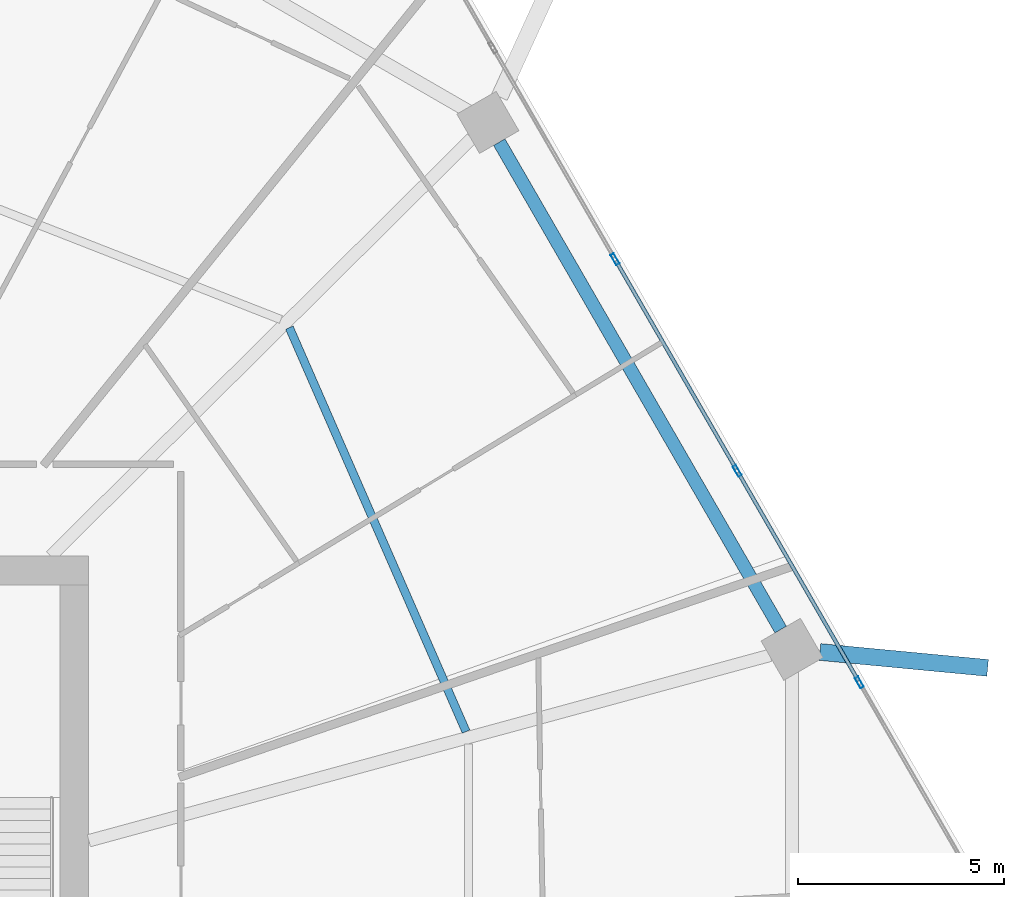
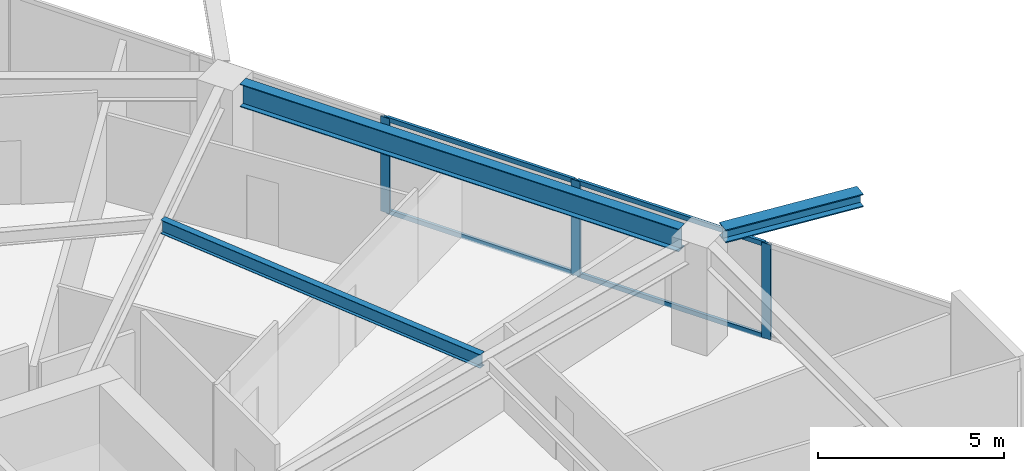
# One storey, part 18 of 33: 7 members, 3 beams, 1 element without a shape of its own.
"""IFC4 building model written with IfcOpenShell, lengths in metres."""

from ifc_helpers import new_model, si_unit, direction, frame, origin, origin_2d, place, context, subcontext, project, spatial, hollow_rectangle, i_section, extrude, material, material_profile, profile_set, type_object, element, aggregate, save


model = new_model("IFC4")

# Units and contexts
model_context = context("Model", 3, precision=1e-05, world=origin(), true_north=direction((0.0, 1.0)))
body_context = subcontext(model_context, "Body", "Model", "MODEL_VIEW")
ifc_project = project(units=[si_unit("LENGTHUNIT", "METRE"), si_unit("AREAUNIT", "SQUARE_METRE"), si_unit("VOLUMEUNIT", "CUBIC_METRE"), si_unit("PLANEANGLEUNIT", "RADIAN"), si_unit("MASSUNIT", "GRAM", prefix="KILO")], contexts=[model_context])

# Site, building, storey
site_placement = place(None, origin())
site = spatial("IfcSite", under=ifc_project, at=site_placement, CompositionType="ELEMENT")
building_placement = place(site_placement, origin())
building = spatial("IfcBuilding", under=site, at=building_placement, Name="Zuhravey Tower", CompositionType="ELEMENT")
storey_placement = place(building_placement, frame((0.0, 0.0, 103.800048828125)))
storey = spatial("IfcBuildingStorey", under=building, at=storey_placement, Name="L25", CompositionType="ELEMENT", Elevation=103.800048828125)

# Curtain wall, members
ifc_material_1 = material(Name="Thermally broken anodised aluminium", Category="aluminium")
curtain_wall_type = type_object("IfcCurtainWallType", Name="Zone 1-2 Residential Curtain Wall CW3", PredefinedType="NOTDEFINED", material=ifc_material_1)
curtain_wall_placement = place(storey_placement, origin())
curtain_wall = element("IfcCurtainWall", 1, at=curtain_wall_placement, inside=storey, type_object=curtain_wall_type, Name="L25 CW3 CW-L25-F1-1", PredefinedType="NOTDEFINED")
ifc_material_2 = material(Name="Anodised aluminium", Category="aluminium")
ifc_material_profile_1 = material_profile(ifc_material_2, hollow_rectangle(XDim=0.090087890625, YDim=0.284912109375, WallThickness=0.0048828125, at=origin_2d()), Name="ALU-RHS-90x285x5")
ifc_profile_set_1 = profile_set([ifc_material_profile_1], Name="Anodised aluminium")
member_type_1 = type_object("IfcMemberType", Name="Curtain-Wall Mullion 90x180", PredefinedType="MULLION", material=ifc_profile_set_1)
member_1_placement = place(storey_placement, frame((59.598876953125, 49.04248046875, 0.0), z_axis=(0.0, 0.0, 1.0), x_axis=(0.86602552265, 0.499999794119, 0.0)))
member_1 = element("IfcMember", 2, at=member_1_placement, type_object=member_type_1, Name="CW3 mullion 3", PredefinedType="MULLION", context=body_context, shape_type="SweptSolid", body=[
    extrude(hollow_rectangle(XDim=0.090087890625, YDim=0.284912109375, WallThickness=0.0048828125, at=origin_2d()), origin(), (0.0, 0.0, 1.0), 3.1220703125),
])
member_2_placement = place(storey_placement, frame((62.55859375, 43.916015625, 0.0), z_axis=(0.0, 0.0, 1.0), x_axis=(0.86602552265, 0.499999794119, 0.0)))
member_2 = element("IfcMember", 3, at=member_2_placement, type_object=member_type_1, Name="CW3 mullion 4", PredefinedType="MULLION", context=body_context, shape_type="SweptSolid", body=[
    extrude(hollow_rectangle(XDim=0.090087890625, YDim=0.284912109375, WallThickness=0.0048828125, at=origin_2d()), origin(), (0.0, 0.0, 1.0), 3.1220703125),
])
member_3_placement = place(storey_placement, frame((65.5185546875, 38.789306640625, 0.0), z_axis=(0.0, 0.0, 1.0), x_axis=(0.86602552265, 0.499999794119, 0.0)))
member_3 = element("IfcMember", 4, at=member_3_placement, type_object=member_type_1, Name="CW3 mullion 5", PredefinedType="MULLION", context=body_context, shape_type="SweptSolid", body=[
    extrude(hollow_rectangle(XDim=0.090087890625, YDim=0.284912109375, WallThickness=0.0048828125, at=origin_2d()), origin(), (0.0, 0.0, 1.0), 3.1220703125),
])
ifc_material_profile_2 = material_profile(ifc_material_2, hollow_rectangle(XDim=0.090087890625, YDim=0.14990234375, WallThickness=0.0048828125, at=origin_2d()), Name="ALU-RHS-90x150x5")
ifc_profile_set_2 = profile_set([ifc_material_profile_2], Name="Anodised aluminium")
member_type_2 = type_object("IfcMemberType", Name="Curtain-Wall Transom 90x150", PredefinedType="USERDEFINED", material=ifc_profile_set_2)
member_4_placement = place(storey_placement, frame((59.621337890625, 49.003662109375, 0.044921875), z_axis=(0.499981042766, -0.866036348472, 0.0), x_axis=(0.866036348472, 0.499981042766, 0.0)))
member_4 = element("IfcMember", 5, at=member_4_placement, type_object=member_type_2, Name="CW3 transom 3.1", ObjectType="TRANSOM", PredefinedType="USERDEFINED", context=body_context, shape_type="SweptSolid", body=[
    extrude(hollow_rectangle(XDim=0.090087890625, YDim=0.14990234375, WallThickness=0.0048828125, at=origin_2d()), origin(), (0.0, 0.0, 1.0), 5.829833984375),
])
member_5_placement = place(storey_placement, frame((59.621337890625, 49.003662109375, 3.076904296875), z_axis=(0.499981042766, -0.866036348472, 0.0), x_axis=(0.866036348472, 0.499981042766, 0.0)))
member_5 = element("IfcMember", 6, at=member_5_placement, type_object=member_type_2, Name="CW3 transom 3.2", ObjectType="TRANSOM", PredefinedType="USERDEFINED", context=body_context, shape_type="SweptSolid", body=[
    extrude(hollow_rectangle(XDim=0.090087890625, YDim=0.14990234375, WallThickness=0.0048828125, at=origin_2d()), origin(), (0.0, 0.0, 1.0), 5.829833984375),
])
member_6_placement = place(storey_placement, frame((62.581298828125, 43.876953125, 0.044921875), z_axis=(0.499981042766, -0.866036348472, 0.0), x_axis=(0.866036348472, 0.499981042766, 0.0)))
member_6 = element("IfcMember", 7, at=member_6_placement, type_object=member_type_2, Name="CW3 transom 4.1", ObjectType="TRANSOM", PredefinedType="USERDEFINED", context=body_context, shape_type="SweptSolid", body=[
    extrude(hollow_rectangle(XDim=0.090087890625, YDim=0.14990234375, WallThickness=0.0048828125, at=origin_2d()), origin(), (0.0, 0.0, 1.0), 5.829833984375),
])
member_7_placement = place(storey_placement, frame((62.581298828125, 43.876953125, 3.076904296875), z_axis=(0.499981042766, -0.866036348472, 0.0), x_axis=(0.866036348472, 0.499981042766, 0.0)))
member_7 = element("IfcMember", 8, at=member_7_placement, type_object=member_type_2, Name="CW3 transom 4.2", ObjectType="TRANSOM", PredefinedType="USERDEFINED", context=body_context, shape_type="SweptSolid", body=[
    extrude(hollow_rectangle(XDim=0.090087890625, YDim=0.14990234375, WallThickness=0.0048828125, at=origin_2d()), origin(), (0.0, 0.0, 1.0), 5.829833984375),
])
aggregate(curtain_wall, [member_1, member_2, member_3, member_4, member_5, member_6, member_7])

# Beams
ifc_material_3 = material(Name="Steel SM460", Category="steel")
ifc_material_profile_3 = material_profile(ifc_material_3, i_section(OverallWidth=0.406982421875, OverallDepth=0.427978515625, WebThickness=0.02001953125, FlangeThickness=0.034912109375, at=origin_2d()), Name="H-428x407x20x35")
ifc_profile_set_3 = profile_set([ifc_material_profile_3], Name="Steel SM460")
beam_type_1 = type_object("IfcBeamType", Name="Exoskeleton Node Tie Beam H428x407", PredefinedType="BEAM", material=ifc_profile_set_3)
beam_1_placement = place(storey_placement, frame((64.56494140625, 39.52734375, 3.3359375), z_axis=(0.995525812941, -0.094489977076, 0.0), x_axis=(0.094489977076, 0.995525812941, 0.0)))
element("IfcBeam", 9, at=beam_1_placement, inside=storey, type_object=beam_type_1, Name="L25 Exoskeleton Node Tie NT1-01", PredefinedType="BEAM", context=body_context, shape_type="SweptSolid", body=[
    extrude(i_section(OverallWidth=0.406982421875, OverallDepth=0.427978515625, WebThickness=0.02001953125, FlangeThickness=0.034912109375, at=origin_2d()), origin(), (0.0, 0.0, 1.0), 4.079833984375),
])
ifc_material_4 = material(Name="Steel SM355", Category="steel")
ifc_material_profile_4 = material_profile(ifc_material_4, i_section(OverallWidth=0.320068359375, OverallDepth=0.75, WebThickness=0.013916015625, FlangeThickness=0.02490234375, at=origin_2d()), Name="H-750x320x14x25")
ifc_profile_set_4 = profile_set([ifc_material_profile_4], Name="Steel SM355")
beam_type_2 = type_object("IfcBeamType", Name="Perimeter Ring Beam H750x320", PredefinedType="BEAM", material=ifc_profile_set_4)
beam_2_placement = place(storey_placement, frame((63.612548828125, 40.070556640625, 3.175048828125), z_axis=(-0.500008177929, 0.866020682204, 0.0), x_axis=(-0.866020682204, -0.500008177929, 0.0)))
element("IfcBeam", 10, at=beam_2_placement, inside=storey, type_object=beam_type_2, Name="L25 PB1 BM-L25-PB-01", PredefinedType="BEAM", context=body_context, shape_type="SweptSolid", body=[
    extrude(i_section(OverallWidth=0.320068359375, OverallDepth=0.75, WebThickness=0.013916015625, FlangeThickness=0.02490234375, at=origin_2d()), origin(), (0.0, 0.0, 1.0), 13.634033203125),
])
ifc_material_profile_5 = material_profile(ifc_material_4, i_section(OverallWidth=0.199951171875, OverallDepth=0.449951171875, WebThickness=0.009033203125, FlangeThickness=0.013916015625, at=origin_2d()), Name="H-450x200x9x14")
ifc_profile_set_5 = profile_set([ifc_material_profile_5], Name="Steel SM355")
beam_type_3 = type_object("IfcBeamType", Name="Secondary Floor Joist H450x200", PredefinedType="JOIST", material=ifc_profile_set_5)
beam_3_placement = place(storey_placement, frame((55.99072265625, 37.599609375, 3.324951171875), z_axis=(-0.400786454617, 0.916171500209, 0.0), x_axis=(-0.916171500209, -0.400786454617, 0.0)))
element("IfcBeam", 11, at=beam_3_placement, inside=storey, type_object=beam_type_3, Name="L25 SJ1 BM-L25-SJ-01-1", PredefinedType="JOIST", context=body_context, shape_type="SweptSolid", body=[
    extrude(i_section(OverallWidth=0.199951171875, OverallDepth=0.449951171875, WebThickness=0.009033203125, FlangeThickness=0.013916015625, at=origin_2d()), origin(), (0.0, 0.0, 1.0), 10.6796875),
])

save(model, "model.ifc")
